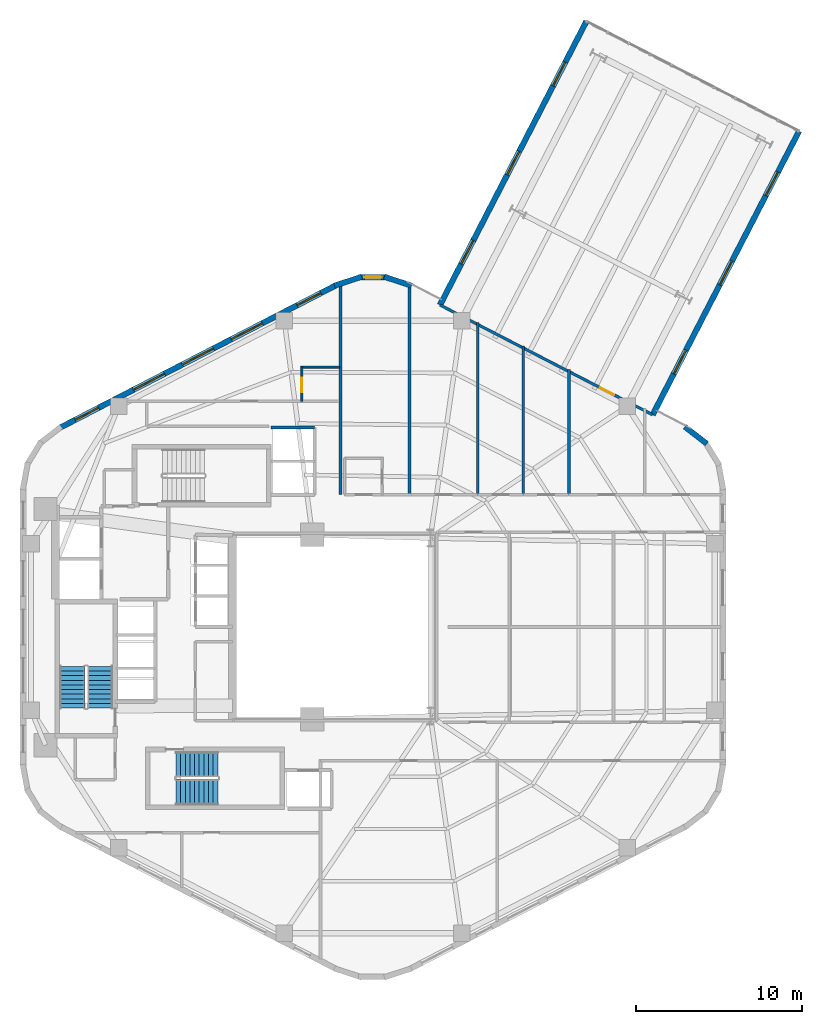
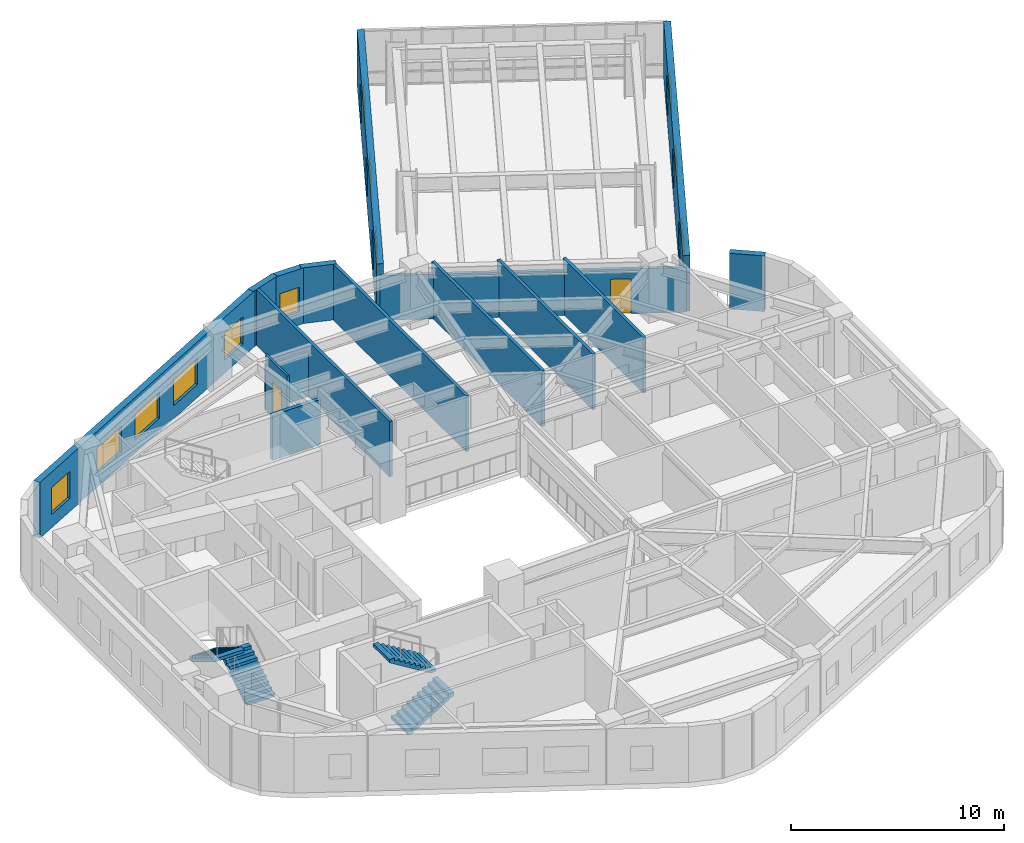
# One storey, part 8 of 11: 16 walls, 12 windows, 4 stair flights, 2 doors, 14 openings, 2 elements without a shape of their own.
"""IFC4 building model written with IfcOpenShell, lengths in metres."""

from ifc_helpers import new_model, si_unit, direction, frame, frame_2d, origin, place, context, subcontext, project, spatial, polyline, rectangle, outline, extrude, material, layer, layer_set, type_object, element, fill, aggregate, save


model = new_model("IFC4")

# Units and contexts
model_context = context("Model", 3, precision=1e-05, world=origin(), true_north=direction((0.0, 1.0)))
body_context = subcontext(model_context, "Body", "Model", "MODEL_VIEW")
ifc_project = project(units=[si_unit("LENGTHUNIT", "METRE"), si_unit("AREAUNIT", "SQUARE_METRE"), si_unit("VOLUMEUNIT", "CUBIC_METRE"), si_unit("PLANEANGLEUNIT", "RADIAN"), si_unit("MASSUNIT", "GRAM", prefix="KILO"), si_unit("THERMODYNAMICTEMPERATUREUNIT", "KELVIN"), si_unit("POWERUNIT", "WATT")], contexts=[model_context])

# Site, building, storey
site_placement = place(None, origin())
site = spatial("IfcSite", under=ifc_project, at=site_placement, CompositionType="ELEMENT")
building_placement = place(site_placement, origin())
building = spatial("IfcBuilding", under=site, at=building_placement, Name="Skarre Station Tower", CompositionType="ELEMENT")
storey_placement = place(building_placement, frame((0.0, 0.0, 118.800048828125)))
storey = spatial("IfcBuildingStorey", under=building, at=storey_placement, Name="L31", CompositionType="ELEMENT", Elevation=118.800048828125)

# Wall
ifc_material_1 = material(Name="Insulated Timber-Stud Gypsum Partition", Category="wood")
ifc_layer_1 = layer(ifc_material_1, 0.1201171875, Name="Insulated Timber-Stud Gypsum Partition")
ifc_layer_set_1 = layer_set([ifc_layer_1], Name="Insulated Timber-Stud Gypsum Partition")
wall_type_1 = type_object("IfcWallType", Name="Internal Suite Acoustic Partition 120", PredefinedType="PARTITIONING", material=ifc_layer_set_1)
wall_1_placement = place(storey_placement, frame((34.0, 39.639892578125, 0.0), z_axis=(0.0, 0.0, 1.0), x_axis=(-1.0, 0.0, 0.0)))
element("IfcWall", 1, at=wall_1_placement, inside=storey, type_object=wall_type_1, Name="L31 Interior Partition WL-PT-L31-NWW1-EW3", PredefinedType="PARTITIONING", context=body_context, shape_type="SweptSolid", body=[
    extrude(rectangle(XDim=2.340087890625, YDim=0.1201171875, at=frame_2d((1.169921875, 0.0))), origin(), (0.0, 0.0, 1.0), 2.58203125),
])

# Wall, opening, door
wall_2_placement = place(storey_placement, frame((31.719970703125, 39.639892578125, 0.0), z_axis=(0.0, 0.0, 1.0), x_axis=(0.0, -1.0, 0.0)))
wall_2 = element("IfcWall", 2, at=wall_2_placement, inside=storey, type_object=wall_type_1, Name="L31 Interior Partition WL-PT-L31-NWW1-EW4", PredefinedType="PARTITIONING", context=body_context, shape_type="SweptSolid", body=[
    extrude(rectangle(XDim=2.059814453125, YDim=0.1201171875, at=frame_2d((1.02978515625, 0.0))), origin(), (0.0, 0.0, 1.0), 3.18994140625),
])
opening_1_placement = place(wall_2_placement, frame((0.64990234375, 0.0, 0.0)))
opening_1 = element("IfcOpeningElement", 3, at=opening_1_placement, cuts=wall_2, Name="Opening DR-INT86", PredefinedType="OPENING", context=body_context, shape_type="SweptSolid", body=[
    extrude(rectangle(XDim=0.860107421875, YDim=2.0, at=frame_2d((0.43017578125, 1.0))), frame((0.0, 0.070068359375, 0.0), z_axis=(0.0, -1.0, 0.0), x_axis=(1.0, 0.0, 0.0)), (0.0, 0.0, 1.0), 0.14013671875),
])
ifc_material_2 = material(Name="Nordic Birch Acoustic Solid-Core Timber Leaf", Category="wood")
door_type_1 = type_object("IfcDoorType", Name="Internal En-Suite & Bedroom Door 860x2100", OperationType="SINGLE_SWING_LEFT", PredefinedType="DOOR", material=ifc_material_2)
door_1_placement = place(opening_1_placement, origin())
door_1 = element("IfcDoor", 4, at=door_1_placement, inside=storey, type_object=door_type_1, Name="L31 NWW1 En-suite Door", OperationType="SINGLE_SWING_RIGHT", OverallHeight=2.0, OverallWidth=0.860107421875, PredefinedType="DOOR", context=body_context, shape_type="SweptSolid", body=[
    extrude(rectangle(XDim=0.860107421875, YDim=2.0, at=frame_2d((0.43017578125, 1.0))), frame((0.0, 0.02490234375, 0.0), z_axis=(0.0, -1.0, 0.0), x_axis=(1.0, 0.0, 0.0)), (0.0, 0.0, 1.0), 0.050048828125),
])
fill(opening_1, door_1)

# Wall, openings, windows
ifc_material_3 = material(Name="Precast concrete C45/55", Category="concrete")
ifc_layer_2 = layer(ifc_material_3, 0.340087890625, Name="Precast concrete C45/55")
ifc_layer_set_2 = layer_set([ifc_layer_2], Name="Precast concrete C45/55")
wall_type_2 = type_object("IfcWallType", Name="Nordic Honed Precast Facet Wall 340", PredefinedType="STANDARD", material=ifc_layer_set_2)
wall_3_placement = place(storey_placement, frame((61.6298828125, 53.827880859375, 0.0), z_axis=(0.0, 0.0, 1.0), x_axis=(-0.458697010696, -0.888592737073, 0.0)))
wall_3 = element("IfcWall", 5, at=wall_3_placement, inside=storey, type_object=wall_type_2, Name="L31 SB-2 Side 1 Precast Wall", PredefinedType="STANDARD", context=body_context, shape_type="SweptSolid", body=[
    extrude(rectangle(XDim=19.19970703125, YDim=0.340087890625, at=frame_2d((9.599853515625, 0.0))), origin(), (0.0, 0.0, 1.0), 3.18994140625),
])
opening_2_placement = place(wall_3_placement, frame((2.76708984375, 0.0, 0.75)))
opening_2 = element("IfcOpeningElement", 6, at=opening_2_placement, cuts=wall_3, Name="Opening WN-Z2A", PredefinedType="OPENING", context=body_context, shape_type="SweptSolid", body=[
    extrude(rectangle(XDim=1.60009765625, YDim=1.550048828125, at=frame_2d((0.800048828125, 0.77490234375))), frame((0.0, 0.179931640625, 0.0), z_axis=(0.0, -1.0, 0.0), x_axis=(1.0, 0.0, 0.0)), (0.0, 0.0, 1.0), 0.360107421875),
])
opening_3_placement = place(wall_3_placement, frame((8.800048828125, 0.0, 0.75)))
opening_3 = element("IfcOpeningElement", 7, at=opening_3_placement, cuts=wall_3, Name="Opening WN-Z2A", PredefinedType="OPENING", context=body_context, shape_type="SweptSolid", body=[
    extrude(rectangle(XDim=1.60009765625, YDim=1.550048828125, at=frame_2d((0.800048828125, 0.77490234375))), frame((0.0, 0.179931640625, 0.0), z_axis=(0.0, -1.0, 0.0), x_axis=(1.0, 0.0, 0.0)), (0.0, 0.0, 1.0), 0.360107421875),
])
opening_4_placement = place(wall_3_placement, frame((14.8330078125, 0.0, 0.75)))
opening_4 = element("IfcOpeningElement", 8, at=opening_4_placement, cuts=wall_3, Name="Opening WN-Z2A", PredefinedType="OPENING", context=body_context, shape_type="SweptSolid", body=[
    extrude(rectangle(XDim=1.60009765625, YDim=1.550048828125, at=frame_2d((0.800048828125, 0.77490234375))), frame((0.0, 0.179931640625, 0.0), z_axis=(0.0, -1.0, 0.0), x_axis=(1.0, 0.0, 0.0)), (0.0, 0.0, 1.0), 0.360107421875),
])
ifc_material_4 = material(Name="Low-Iron Triple Glazing with Bronze Anodized Frame", Category="glass")
window_type_1 = type_object("IfcWindowType", Name="Nordic Residential Tall Window 1600x1550", PartitioningType="SINGLE_PANEL", PredefinedType="WINDOW", material=ifc_material_4)
window_1_placement = place(opening_2_placement, origin())
window_1 = element("IfcWindow", 9, at=window_1_placement, inside=storey, type_object=window_type_1, Name="L31 Facade Window WL-SB-2-L31-S1-1", OverallHeight=1.550048828125, OverallWidth=1.60009765625, PartitioningType="SINGLE_PANEL", PredefinedType="WINDOW", context=body_context, shape_type="SweptSolid", body=[
    extrude(rectangle(XDim=1.60009765625, YDim=1.550048828125, at=frame_2d((0.800048828125, 0.77490234375))), frame((0.0, 0.030029296875, 0.0), z_axis=(0.0, -1.0, 0.0), x_axis=(1.0, 0.0, 0.0)), (0.0, 0.0, 1.0), 0.06005859375),
])
fill(opening_2, window_1)
window_2_placement = place(opening_3_placement, origin())
window_2 = element("IfcWindow", 10, at=window_2_placement, inside=storey, type_object=window_type_1, Name="L31 Facade Window WL-SB-2-L31-S1-2", OverallHeight=1.550048828125, OverallWidth=1.60009765625, PartitioningType="SINGLE_PANEL", PredefinedType="WINDOW", context=body_context, shape_type="SweptSolid", body=[
    extrude(rectangle(XDim=1.60009765625, YDim=1.550048828125, at=frame_2d((0.800048828125, 0.77490234375))), frame((0.0, 0.030029296875, 0.0), z_axis=(0.0, -1.0, 0.0), x_axis=(1.0, 0.0, 0.0)), (0.0, 0.0, 1.0), 0.06005859375),
])
fill(opening_3, window_2)
window_3_placement = place(opening_4_placement, origin())
window_3 = element("IfcWindow", 11, at=window_3_placement, inside=storey, type_object=window_type_1, Name="L31 Facade Window WL-SB-2-L31-S1-3", OverallHeight=1.550048828125, OverallWidth=1.60009765625, PartitioningType="SINGLE_PANEL", PredefinedType="WINDOW", context=body_context, shape_type="SweptSolid", body=[
    extrude(rectangle(XDim=1.60009765625, YDim=1.550048828125, at=frame_2d((0.800048828125, 0.77490234375))), frame((0.0, 0.030029296875, 0.0), z_axis=(0.0, -1.0, 0.0), x_axis=(1.0, 0.0, 0.0)), (0.0, 0.0, 1.0), 0.06005859375),
])
fill(opening_4, window_3)

wall_4_placement = place(storey_placement, frame((40.028076171875, 43.3720703125, 0.0), z_axis=(0.0, 0.0, 1.0), x_axis=(0.45865166523, 0.888616143215, 0.0)))
wall_4 = element("IfcWall", 12, at=wall_4_placement, inside=storey, type_object=wall_type_2, Name="L31 SB-2 Side 2 Precast Wall", PredefinedType="STANDARD", context=body_context, shape_type="SweptSolid", body=[
    extrude(rectangle(XDim=19.199462890625, YDim=0.340087890625, at=frame_2d((9.599609375, 0.0))), origin(), (0.0, 0.0, 1.0), 3.18994140625),
])
opening_5_placement = place(wall_4_placement, frame((2.76708984375, 0.0, 0.75)))
opening_5 = element("IfcOpeningElement", 13, at=opening_5_placement, cuts=wall_4, Name="Opening WN-Z2A", PredefinedType="OPENING", context=body_context, shape_type="SweptSolid", body=[
    extrude(rectangle(XDim=1.60009765625, YDim=1.550048828125, at=frame_2d((0.800048828125, 0.77490234375))), frame((0.0, 0.179931640625, 0.0), z_axis=(0.0, -1.0, 0.0), x_axis=(1.0, 0.0, 0.0)), (0.0, 0.0, 1.0), 0.360107421875),
])
opening_6_placement = place(wall_4_placement, frame((8.800048828125, 0.0, 0.75)))
opening_6 = element("IfcOpeningElement", 14, at=opening_6_placement, cuts=wall_4, Name="Opening WN-Z2A", PredefinedType="OPENING", context=body_context, shape_type="SweptSolid", body=[
    extrude(rectangle(XDim=1.60009765625, YDim=1.550048828125, at=frame_2d((0.800048828125, 0.77490234375))), frame((0.0, 0.179931640625, 0.0), z_axis=(0.0, -1.0, 0.0), x_axis=(1.0, 0.0, 0.0)), (0.0, 0.0, 1.0), 0.360107421875),
])
opening_7_placement = place(wall_4_placement, frame((14.8330078125, 0.0, 0.75)))
opening_7 = element("IfcOpeningElement", 15, at=opening_7_placement, cuts=wall_4, Name="Opening WN-Z2A", PredefinedType="OPENING", context=body_context, shape_type="SweptSolid", body=[
    extrude(rectangle(XDim=1.60009765625, YDim=1.550048828125, at=frame_2d((0.800048828125, 0.77490234375))), frame((0.0, 0.179931640625, 0.0), z_axis=(0.0, -1.0, 0.0), x_axis=(1.0, 0.0, 0.0)), (0.0, 0.0, 1.0), 0.360107421875),
])
window_4_placement = place(opening_5_placement, origin())
window_4 = element("IfcWindow", 16, at=window_4_placement, inside=storey, type_object=window_type_1, Name="L31 Facade Window WL-SB-2-L31-S2-1", OverallHeight=1.550048828125, OverallWidth=1.60009765625, PartitioningType="SINGLE_PANEL", PredefinedType="WINDOW", context=body_context, shape_type="SweptSolid", body=[
    extrude(rectangle(XDim=1.60009765625, YDim=1.550048828125, at=frame_2d((0.800048828125, 0.77490234375))), frame((0.0, 0.030029296875, 0.0), z_axis=(0.0, -1.0, 0.0), x_axis=(1.0, 0.0, 0.0)), (0.0, 0.0, 1.0), 0.06005859375),
])
fill(opening_5, window_4)
window_5_placement = place(opening_6_placement, origin())
window_5 = element("IfcWindow", 17, at=window_5_placement, inside=storey, type_object=window_type_1, Name="L31 Facade Window WL-SB-2-L31-S2-2", OverallHeight=1.550048828125, OverallWidth=1.60009765625, PartitioningType="SINGLE_PANEL", PredefinedType="WINDOW", context=body_context, shape_type="SweptSolid", body=[
    extrude(rectangle(XDim=1.60009765625, YDim=1.550048828125, at=frame_2d((0.800048828125, 0.77490234375))), frame((0.0, 0.030029296875, 0.0), z_axis=(0.0, -1.0, 0.0), x_axis=(1.0, 0.0, 0.0)), (0.0, 0.0, 1.0), 0.06005859375),
])
fill(opening_6, window_5)
window_6_placement = place(opening_7_placement, origin())
window_6 = element("IfcWindow", 18, at=window_6_placement, inside=storey, type_object=window_type_1, Name="L31 Facade Window WL-SB-2-L31-S2-3", OverallHeight=1.550048828125, OverallWidth=1.60009765625, PartitioningType="SINGLE_PANEL", PredefinedType="WINDOW", context=body_context, shape_type="SweptSolid", body=[
    extrude(rectangle(XDim=1.60009765625, YDim=1.550048828125, at=frame_2d((0.800048828125, 0.77490234375))), frame((0.0, 0.030029296875, 0.0), z_axis=(0.0, -1.0, 0.0), x_axis=(1.0, 0.0, 0.0)), (0.0, 0.0, 1.0), 0.06005859375),
])
fill(opening_7, window_6)

wall_5_placement = place(storey_placement, frame((17.1689453125, 35.989990234375, 0.0), z_axis=(0.0, 0.0, 1.0), x_axis=(0.888613612362, 0.458656568606, 0.0)))
wall_5 = element("IfcWall", 19, at=wall_5_placement, inside=storey, type_object=wall_type_2, Name="L31 Facet 1 Nordic Precast Masonry Wall", PredefinedType="STANDARD", context=body_context, shape_type="SweptSolid", body=[
    extrude(rectangle(XDim=18.680908203125, YDim=0.340087890625, at=frame_2d((9.34033203125, 0.0))), origin(), (0.0, 0.0, 1.0), 3.18994140625),
])
opening_8_placement = place(wall_5_placement, frame((1.02294921875, 0.0, 0.75)))
opening_8 = element("IfcOpeningElement", 20, at=opening_8_placement, cuts=wall_5, Name="Opening WN-Z2A", PredefinedType="OPENING", context=body_context, shape_type="SweptSolid", body=[
    extrude(rectangle(XDim=1.60009765625, YDim=1.550048828125, at=frame_2d((0.800048828125, 0.77490234375))), frame((0.0, 0.179931640625, 0.0), z_axis=(0.0, -1.0, 0.0), x_axis=(1.0, 0.0, 0.0)), (0.0, 0.0, 1.0), 0.360107421875),
])
opening_9_placement = place(wall_5_placement, frame((4.98095703125, 0.0, 0.75)))
opening_9 = element("IfcOpeningElement", 21, at=opening_9_placement, cuts=wall_5, Name="Opening WN-Z2B", PredefinedType="OPENING", context=body_context, shape_type="SweptSolid", body=[
    extrude(rectangle(XDim=2.10009765625, YDim=1.5, at=frame_2d((1.050048828125, 0.75))), frame((0.0, 0.179931640625, 0.0), z_axis=(0.0, -1.0, 0.0), x_axis=(1.0, 0.0, 0.0)), (0.0, 0.0, 1.0), 0.360107421875),
])
opening_10_placement = place(wall_5_placement, frame((8.2900390625, 0.0, 0.75)))
opening_10 = element("IfcOpeningElement", 22, at=opening_10_placement, cuts=wall_5, Name="Opening WN-Z2B", PredefinedType="OPENING", context=body_context, shape_type="SweptSolid", body=[
    extrude(rectangle(XDim=2.10009765625, YDim=1.5, at=frame_2d((1.050048828125, 0.75))), frame((0.0, 0.179931640625, 0.0), z_axis=(0.0, -1.0, 0.0), x_axis=(1.0, 0.0, 0.0)), (0.0, 0.0, 1.0), 0.360107421875),
])
opening_11_placement = place(wall_5_placement, frame((11.60009765625, 0.0, 0.75)))
opening_11 = element("IfcOpeningElement", 23, at=opening_11_placement, cuts=wall_5, Name="Opening WN-Z2B", PredefinedType="OPENING", context=body_context, shape_type="SweptSolid", body=[
    extrude(rectangle(XDim=2.10009765625, YDim=1.5, at=frame_2d((1.050048828125, 0.75))), frame((0.0, 0.179931640625, 0.0), z_axis=(0.0, -1.0, 0.0), x_axis=(1.0, 0.0, 0.0)), (0.0, 0.0, 1.0), 0.360107421875),
])
opening_12_placement = place(wall_5_placement, frame((16.05810546875, 0.0, 0.75)))
opening_12 = element("IfcOpeningElement", 24, at=opening_12_placement, cuts=wall_5, Name="Opening WN-Z2A", PredefinedType="OPENING", context=body_context, shape_type="SweptSolid", body=[
    extrude(rectangle(XDim=1.60009765625, YDim=1.550048828125, at=frame_2d((0.800048828125, 0.77490234375))), frame((0.0, 0.179931640625, 0.0), z_axis=(0.0, -1.0, 0.0), x_axis=(1.0, 0.0, 0.0)), (0.0, 0.0, 1.0), 0.360107421875),
])
window_7_placement = place(opening_8_placement, origin())
window_7 = element("IfcWindow", 25, at=window_7_placement, inside=storey, type_object=window_type_1, Name="L31 Facade Window WL-FAC-L31-F1-1", OverallHeight=1.550048828125, OverallWidth=1.60009765625, PartitioningType="SINGLE_PANEL", PredefinedType="WINDOW", context=body_context, shape_type="SweptSolid", body=[
    extrude(rectangle(XDim=1.60009765625, YDim=1.550048828125, at=frame_2d((0.800048828125, 0.77490234375))), frame((0.0, 0.030029296875, 0.0), z_axis=(0.0, -1.0, 0.0), x_axis=(1.0, 0.0, 0.0)), (0.0, 0.0, 1.0), 0.06005859375),
])
fill(opening_8, window_7)
window_8_placement = place(opening_12_placement, origin())
window_8 = element("IfcWindow", 26, at=window_8_placement, inside=storey, type_object=window_type_1, Name="L31 Facade Window WL-FAC-L31-F1-5", OverallHeight=1.550048828125, OverallWidth=1.60009765625, PartitioningType="SINGLE_PANEL", PredefinedType="WINDOW", context=body_context, shape_type="SweptSolid", body=[
    extrude(rectangle(XDim=1.60009765625, YDim=1.550048828125, at=frame_2d((0.800048828125, 0.77490234375))), frame((0.0, 0.030029296875, 0.0), z_axis=(0.0, -1.0, 0.0), x_axis=(1.0, 0.0, 0.0)), (0.0, 0.0, 1.0), 0.06005859375),
])
fill(opening_12, window_8)
window_type_2 = type_object("IfcWindowType", Name="Nordic Residential Twin Window 2100x1500", PartitioningType="SINGLE_PANEL", PredefinedType="WINDOW", material=ifc_material_4)
window_9_placement = place(opening_9_placement, origin())
window_9 = element("IfcWindow", 27, at=window_9_placement, inside=storey, type_object=window_type_2, Name="L31 Facade Window WL-FAC-L31-F1-2", OverallHeight=1.5, OverallWidth=2.10009765625, PartitioningType="SINGLE_PANEL", PredefinedType="WINDOW", context=body_context, shape_type="SweptSolid", body=[
    extrude(rectangle(XDim=2.10009765625, YDim=1.5, at=frame_2d((1.050048828125, 0.75))), frame((0.0, 0.030029296875, 0.0), z_axis=(0.0, -1.0, 0.0), x_axis=(1.0, 0.0, 0.0)), (0.0, 0.0, 1.0), 0.06005859375),
])
fill(opening_9, window_9)
window_10_placement = place(opening_10_placement, origin())
window_10 = element("IfcWindow", 28, at=window_10_placement, inside=storey, type_object=window_type_2, Name="L31 Facade Window WL-FAC-L31-F1-3", OverallHeight=1.5, OverallWidth=2.10009765625, PartitioningType="SINGLE_PANEL", PredefinedType="WINDOW", context=body_context, shape_type="SweptSolid", body=[
    extrude(rectangle(XDim=2.10009765625, YDim=1.5, at=frame_2d((1.050048828125, 0.75))), frame((0.0, 0.030029296875, 0.0), z_axis=(0.0, -1.0, 0.0), x_axis=(1.0, 0.0, 0.0)), (0.0, 0.0, 1.0), 0.06005859375),
])
fill(opening_10, window_10)
window_11_placement = place(opening_11_placement, origin())
window_11 = element("IfcWindow", 29, at=window_11_placement, inside=storey, type_object=window_type_2, Name="L31 Facade Window WL-FAC-L31-F1-4", OverallHeight=1.5, OverallWidth=2.10009765625, PartitioningType="SINGLE_PANEL", PredefinedType="WINDOW", context=body_context, shape_type="SweptSolid", body=[
    extrude(rectangle(XDim=2.10009765625, YDim=1.5, at=frame_2d((1.050048828125, 0.75))), frame((0.0, 0.030029296875, 0.0), z_axis=(0.0, -1.0, 0.0), x_axis=(1.0, 0.0, 0.0)), (0.0, 0.0, 1.0), 0.06005859375),
])
fill(opening_11, window_11)

# Walls
ifc_layer_3 = layer(ifc_material_3, 0.330078125, Name="Precast concrete C45/55")
ifc_layer_set_3 = layer_set([ifc_layer_3], Name="Precast concrete C45/55")
wall_type_3 = type_object("IfcWallType", Name="Nordic Rounded Corner Precast Wall 330", PredefinedType="STANDARD", material=ifc_layer_set_3)
wall_6_placement = place(storey_placement, frame((54.757080078125, 36.050048828125, 0.0), z_axis=(0.0, 0.0, 1.0), x_axis=(0.790621329885, -0.612305408053, 0.0)))
element("IfcWall", 30, at=wall_6_placement, inside=storey, type_object=wall_type_3, Name="L31 Rounded Corner Precast Wall F0-1", PredefinedType="STANDARD", context=body_context, shape_type="SweptSolid", body=[
    extrude(rectangle(XDim=1.67578125, YDim=0.330078125, at=frame_2d((0.837890625, 0.0))), origin(), (0.0, 0.0, 1.0), 3.18994140625),
])
wall_7_placement = place(storey_placement, frame((33.680908203125, 44.531982421875, 0.0), z_axis=(0.0, 0.0, 1.0), x_axis=(0.949937416267, 0.312440242569, 0.0)))
element("IfcWall", 31, at=wall_7_placement, inside=storey, type_object=wall_type_3, Name="L31 Rounded Corner Precast Wall F1-1", PredefinedType="STANDARD", context=body_context, shape_type="SweptSolid", body=[
    extrude(rectangle(XDim=1.72216796875, YDim=0.330078125, at=frame_2d((0.861083984375, 0.0))), origin(), (0.0, 0.0, 1.0), 3.18994140625),
])

# Wall, opening, window
wall_8_placement = place(storey_placement, frame((35.138916015625, 45.041015625, 0.0), z_axis=(0.0, 0.0, 1.0), x_axis=(1.0, 0.0, 0.0)))
wall_8 = element("IfcWall", 32, at=wall_8_placement, inside=storey, type_object=wall_type_3, Name="L31 Rounded Corner Precast Wall F1-2", PredefinedType="STANDARD", context=body_context, shape_type="SweptSolid", body=[
    extrude(rectangle(XDim=1.72216796875, YDim=0.330078125, at=frame_2d((0.861083984375, 0.0))), origin(), (0.0, 0.0, 1.0), 3.18994140625),
])
opening_13_placement = place(wall_8_placement, frame((0.3359375, 0.0, 0.75)))
opening_13 = element("IfcOpeningElement", 33, at=opening_13_placement, cuts=wall_8, Name="Opening WN-SLT", PredefinedType="OPENING", context=body_context, shape_type="SweptSolid", body=[
    extrude(rectangle(XDim=1.050048828125, YDim=1.39990234375, at=frame_2d((0.52490234375, 0.699951171875))), frame((0.0, 0.175048828125, 0.0), z_axis=(0.0, -1.0, 0.0), x_axis=(1.0, 0.0, 0.0)), (0.0, 0.0, 1.0), 0.35009765625),
])
window_type_3 = type_object("IfcWindowType", Name="Nordic Corner Slot Window 1050x1400", PartitioningType="SINGLE_PANEL", PredefinedType="WINDOW", material=ifc_material_4)
window_12_placement = place(opening_13_placement, origin())
window_12 = element("IfcWindow", 34, at=window_12_placement, inside=storey, type_object=window_type_3, Name="L31 Apex Corner Slot Window F1-2", OverallHeight=1.39990234375, OverallWidth=1.050048828125, PartitioningType="SINGLE_PANEL", PredefinedType="WINDOW", context=body_context, shape_type="SweptSolid", body=[
    extrude(rectangle(XDim=1.050048828125, YDim=1.39990234375, at=frame_2d((0.52490234375, 0.699951171875))), frame((0.0, 0.030029296875, 0.0), z_axis=(0.0, -1.0, 0.0), x_axis=(1.0, 0.0, 0.0)), (0.0, 0.0, 1.0), 0.06005859375),
])
fill(opening_13, window_12)

# Walls
wall_9_placement = place(storey_placement, frame((36.68310546875, 45.070068359375, 0.0), z_axis=(0.0, 0.0, 1.0), x_axis=(0.949937416267, -0.312440242569, 0.0)))
element("IfcWall", 35, at=wall_9_placement, inside=storey, type_object=wall_type_3, Name="L31 Rounded Corner Precast Wall F1-3", PredefinedType="STANDARD", context=body_context, shape_type="SweptSolid", body=[
    extrude(rectangle(XDim=1.72216796875, YDim=0.330078125, at=frame_2d((0.861083984375, 0.0))), origin(), (0.0, 0.0, 1.0), 3.18994140625),
])
ifc_material_5 = material(Name="Gypsum Concrete Shaft Assembly C30/37", Category="concrete")
ifc_layer_4 = layer(ifc_material_5, 0.199951171875, Name="Gypsum Concrete Shaft Assembly C30/37")
ifc_layer_set_4 = layer_set([ifc_layer_4], Name="Gypsum Concrete Shaft Assembly C30/37")
wall_type_4 = type_object("IfcWallType", Name="Shaft & Core Fire Partition 200", PredefinedType="PARTITIONING", material=ifc_layer_set_4)
wall_10_placement = place(storey_placement, frame((29.8798828125, 36.0, 0.0), z_axis=(0.0, 0.0, 1.0), x_axis=(1.0, 0.0, 0.0)))
element("IfcWall", 36, at=wall_10_placement, inside=storey, type_object=wall_type_4, Name="L31 Interior Partition WL-PT-L31-EX-N", PredefinedType="PARTITIONING", context=body_context, shape_type="SweptSolid", body=[
    extrude(rectangle(XDim=2.60009765625, YDim=0.199951171875, at=frame_2d((1.300048828125, 0.0))), origin(), (0.0, 0.0, 1.0), 2.58203125),
])
ifc_material_6 = material(Name="Acoustic Steel-Stud Gypsum Partition", Category="steel")
ifc_layer_5 = layer(ifc_material_6, 0.1650390625, Name="Acoustic Steel-Stud Gypsum Partition")
ifc_layer_set_5 = layer_set([ifc_layer_5], Name="Acoustic Steel-Stud Gypsum Partition")
wall_type_5 = type_object("IfcWallType", Name="Suite Demising Acoustic Partition 165", PredefinedType="PARTITIONING", material=ifc_layer_set_5)
wall_11_placement = place(storey_placement, frame((34.0400390625, 31.9599609375, 0.0), z_axis=(0.0, 0.0, 1.0), x_axis=(0.0, 1.0, 0.0)))
element("IfcWall", 37, at=wall_11_placement, inside=storey, type_object=wall_type_5, Name="L31 Interior Partition WL-PT-L31-NW-WBND", PredefinedType="PARTITIONING", context=body_context, shape_type="SweptSolid", body=[
    extrude(rectangle(XDim=12.55810546875, YDim=0.1650390625, at=frame_2d((6.279052734375, 0.0))), origin(), (0.0, 0.0, 1.0), 3.18994140625),
])
wall_12_placement = place(storey_placement, frame((38.19091796875, 31.969970703125, 0.0), z_axis=(0.0, 0.0, 1.0), x_axis=(0.0, 1.0, 0.0)))
element("IfcWall", 38, at=wall_12_placement, inside=storey, type_object=wall_type_5, Name="L31 Interior Partition WL-PT-L31-NW-P1", PredefinedType="PARTITIONING", context=body_context, shape_type="SweptSolid", body=[
    extrude(rectangle(XDim=12.47314453125, YDim=0.1650390625, at=frame_2d((6.236572265625, 0.0))), origin(), (0.0, 0.0, 1.0), 3.18994140625),
])
wall_13_placement = place(storey_placement, frame((42.302001953125, 31.969970703125, 0.0), z_axis=(0.0, 0.0, 1.0), x_axis=(0.0, 1.0, 0.0)))
element("IfcWall", 39, at=wall_13_placement, inside=storey, type_object=wall_type_5, Name="L31 Interior Partition WL-PT-L31-NW-P2", PredefinedType="PARTITIONING", context=body_context, shape_type="SweptSolid", body=[
    extrude(rectangle(XDim=10.35205078125, YDim=0.1650390625, at=frame_2d((5.176025390625, 0.0))), origin(), (0.0, 0.0, 1.0), 3.18994140625),
])
wall_14_placement = place(storey_placement, frame((45.0419921875, 31.969970703125, 0.0), z_axis=(0.0, 0.0, 1.0), x_axis=(0.0, 1.0, 0.0)))
element("IfcWall", 40, at=wall_14_placement, inside=storey, type_object=wall_type_5, Name="L31 Interior Partition WL-PT-L31-NW-P3", PredefinedType="PARTITIONING", context=body_context, shape_type="SweptSolid", body=[
    extrude(rectangle(XDim=8.93701171875, YDim=0.1650390625, at=frame_2d((4.468505859375, 0.0))), origin(), (0.0, 0.0, 1.0), 3.18994140625),
])
wall_15_placement = place(storey_placement, frame((47.782958984375, 31.969970703125, 0.0), z_axis=(0.0, 0.0, 1.0), x_axis=(0.0, 1.0, 0.0)))
element("IfcWall", 41, at=wall_15_placement, inside=storey, type_object=wall_type_5, Name="L31 Interior Partition WL-PT-L31-NW-P4", PredefinedType="PARTITIONING", context=body_context, shape_type="SweptSolid", body=[
    extrude(rectangle(XDim=7.52294921875, YDim=0.1650390625, at=frame_2d((3.761474609375, 0.0))), origin(), (0.0, 0.0, 1.0), 3.18994140625),
])

# Wall, opening, door
wall_16_placement = place(storey_placement, frame((52.822998046875, 36.76708984375, 0.0), z_axis=(0.0, 0.0, 1.0), x_axis=(-0.888588109751, 0.458705974683, 0.0)))
wall_16 = element("IfcWall", 42, at=wall_16_placement, inside=storey, type_object=wall_type_5, Name="L31 Interior Partition WL-PT-L31-SB-2-ROOT", PredefinedType="PARTITIONING", context=body_context, shape_type="SweptSolid", body=[
    extrude(rectangle(XDim=14.399169921875, YDim=0.1650390625, at=frame_2d((7.19970703125, 0.0))), origin(), (0.0, 0.0, 1.0), 2.56201171875),
])
opening_14_placement = place(wall_16_placement, frame((2.60009765625, 0.0, 0.0)))
opening_14 = element("IfcOpeningElement", 43, at=opening_14_placement, cuts=wall_16, Name="Opening DR-FD60", PredefinedType="OPENING", context=body_context, shape_type="SweptSolid", body=[
    extrude(rectangle(XDim=0.9599609375, YDim=2.0, at=frame_2d((0.47998046875, 1.0))), frame((0.0, 0.092529296875, 0.0), z_axis=(0.0, -1.0, 0.0), x_axis=(1.0, 0.0, 0.0)), (0.0, 0.0, 1.0), 0.18505859375),
])
ifc_material_7 = material(Name="Nordic White-Oak Veneer Solid-Core Fire Leaf", Category="wood")
door_type_2 = type_object("IfcDoorType", Name="Corridor Suite Entry Fire Door FD60 960x2150", OperationType="SINGLE_SWING_LEFT", PredefinedType="DOOR", material=ifc_material_7)
door_2_placement = place(opening_14_placement, origin())
door_2 = element("IfcDoor", 44, at=door_2_placement, inside=storey, type_object=door_type_2, Name="L31 SB-2 Horizon Salon Door", OperationType="SINGLE_SWING_LEFT", OverallHeight=2.0, OverallWidth=0.9599609375, PredefinedType="DOOR", context=body_context, shape_type="SweptSolid", body=[
    extrude(rectangle(XDim=0.9599609375, YDim=2.0, at=frame_2d((0.47998046875, 1.0))), frame((0.0, 0.02490234375, 0.0), z_axis=(0.0, -1.0, 0.0), x_axis=(1.0, 0.0, 0.0)), (0.0, 0.0, 1.0), 0.050048828125),
])
fill(opening_14, door_2)

# Stair, stair flights
ifc_material_8 = material(Name="Concrete C40/50", Category="concrete")
stair_type_1 = type_object("IfcStairType", Name="Reinforced Concrete Exit Stair ST-1", PredefinedType="HALF_TURN_STAIR", material=ifc_material_8)
stair_1_placement = place(storey_placement, origin())
stair_1 = element("IfcStair", 45, at=stair_1_placement, inside=storey, type_object=stair_type_1, Name="L31 Core Exit Stair ST-1", PredefinedType="HALF_TURN_STAIR")
stair_flight_type_1 = type_object("IfcStairFlightType", Name="Reinforced Concrete Stair Flight ST-1", PredefinedType="STRAIGHT", material=ifc_material_8)
stair_flight_1_placement = place(storey_placement, frame((19.590087890625, 19.1201171875, 0.0), z_axis=(0.0, 0.0, 1.0), x_axis=(0.0, 1.0, 0.0)))
stair_flight_1 = element("IfcStairFlight", 46, at=stair_flight_1_placement, type_object=stair_flight_type_1, Name="ST-1 flight 1", NumberOfRisers=10, NumberOfTreads=9, PredefinedType="STRAIGHT", RiserHeight=0.1725, TreadLength=0.28, context=body_context, shape_type="SweptSolid", body=[
    extrude(outline(polyline([(0.0, 0.0), (0.0, 0.172607421875), (0.280029296875, 0.172607421875), (0.280029296875, 0.344970703125), (0.56005859375, 0.344970703125), (0.56005859375, 0.517578125), (0.840087890625, 0.517578125), (0.840087890625, 0.68994140625), (1.1201171875, 0.68994140625), (1.1201171875, 0.862548828125), (1.39990234375, 0.862548828125), (1.39990234375, 1.034912109375), (1.679931640625, 1.034912109375), (1.679931640625, 1.20751953125), (1.9599609375, 1.20751953125), (1.9599609375, 1.3798828125), (2.239990234375, 1.3798828125), (2.239990234375, 1.552490234375), (2.52001953125, 1.552490234375), (2.52001953125, 1.72509765625), (2.52001953125, 1.37646484375), (0.285888671875, 0.0), (0.0, 0.0)])), frame((0.0, 0.760009765625, 0.0), z_axis=(0.0, -1.0, 0.0), x_axis=(1.0, 0.0, 0.0)), (0.0, 0.0, 1.0), 1.52001953125),
])
stair_flight_2_placement = place(storey_placement, frame((17.909912109375, 21.639892578125, 1.724853515625), z_axis=(0.0, 0.0, 1.0), x_axis=(0.0, -1.0, 0.0)))
stair_flight_2 = element("IfcStairFlight", 47, at=stair_flight_2_placement, type_object=stair_flight_type_1, Name="ST-1 flight 2", NumberOfRisers=10, NumberOfTreads=9, PredefinedType="STRAIGHT", RiserHeight=0.1725, TreadLength=0.28, context=body_context, shape_type="SweptSolid", body=[
    extrude(outline(polyline([(0.0, 0.0), (0.0, 0.172607421875), (0.280029296875, 0.172607421875), (0.280029296875, 0.344970703125), (0.56005859375, 0.344970703125), (0.56005859375, 0.517578125), (0.840087890625, 0.517578125), (0.840087890625, 0.68994140625), (1.1201171875, 0.68994140625), (1.1201171875, 0.862548828125), (1.39990234375, 0.862548828125), (1.39990234375, 1.034912109375), (1.679931640625, 1.034912109375), (1.679931640625, 1.20751953125), (1.9599609375, 1.20751953125), (1.9599609375, 1.3798828125), (2.239990234375, 1.3798828125), (2.239990234375, 1.552490234375), (2.52001953125, 1.552490234375), (2.52001953125, 1.72509765625), (2.52001953125, 1.37646484375), (0.285888671875, 0.0), (0.0, 0.0)])), frame((0.0, 0.760009765625, 0.0), z_axis=(0.0, -1.0, 0.0), x_axis=(1.0, 0.0, 0.0)), (0.0, 0.0, 1.0), 1.52001953125),
])
aggregate(stair_1, [stair_flight_1, stair_flight_2])

stair_type_2 = type_object("IfcStairType", Name="Reinforced Concrete Exit Stair ST-2", PredefinedType="HALF_TURN_STAIR", material=ifc_material_8)
stair_2_placement = place(storey_placement, origin())
stair_2 = element("IfcStair", 48, at=stair_2_placement, inside=storey, type_object=stair_type_2, Name="L31 Core Exit Stair ST-2", PredefinedType="HALF_TURN_STAIR")
stair_flight_type_2 = type_object("IfcStairFlightType", Name="Reinforced Concrete Stair Flight ST-2", PredefinedType="STRAIGHT", material=ifc_material_8)
stair_flight_3_placement = place(storey_placement, frame((24.14990234375, 14.06005859375, 0.0), z_axis=(0.0, 0.0, 1.0), x_axis=(1.0, 0.0, 0.0)))
stair_flight_3 = element("IfcStairFlight", 49, at=stair_flight_3_placement, type_object=stair_flight_type_2, Name="ST-2 flight 1", NumberOfRisers=10, NumberOfTreads=9, PredefinedType="STRAIGHT", RiserHeight=0.1725, TreadLength=0.28, context=body_context, shape_type="SweptSolid", body=[
    extrude(outline(polyline([(0.0, 0.0), (0.0, 0.172607421875), (0.280029296875, 0.172607421875), (0.280029296875, 0.344970703125), (0.56005859375, 0.344970703125), (0.56005859375, 0.517578125), (0.840087890625, 0.517578125), (0.840087890625, 0.68994140625), (1.1201171875, 0.68994140625), (1.1201171875, 0.862548828125), (1.39990234375, 0.862548828125), (1.39990234375, 1.034912109375), (1.679931640625, 1.034912109375), (1.679931640625, 1.20751953125), (1.9599609375, 1.20751953125), (1.9599609375, 1.3798828125), (2.239990234375, 1.3798828125), (2.239990234375, 1.552490234375), (2.52001953125, 1.552490234375), (2.52001953125, 1.72509765625), (2.52001953125, 1.37646484375), (0.285888671875, 0.0), (0.0, 0.0)])), frame((0.0, 0.760009765625, 0.0), z_axis=(0.0, -1.0, 0.0), x_axis=(1.0, 0.0, 0.0)), (0.0, 0.0, 1.0), 1.52001953125),
])
stair_flight_4_placement = place(storey_placement, frame((26.669921875, 15.739990234375, 1.724853515625), z_axis=(0.0, 0.0, 1.0), x_axis=(-1.0, 0.0, 0.0)))
stair_flight_4 = element("IfcStairFlight", 50, at=stair_flight_4_placement, type_object=stair_flight_type_2, Name="ST-2 flight 2", NumberOfRisers=10, NumberOfTreads=9, PredefinedType="STRAIGHT", RiserHeight=0.1725, TreadLength=0.28, context=body_context, shape_type="SweptSolid", body=[
    extrude(outline(polyline([(0.0, 0.0), (0.0, 0.172607421875), (0.280029296875, 0.172607421875), (0.280029296875, 0.344970703125), (0.56005859375, 0.344970703125), (0.56005859375, 0.517578125), (0.840087890625, 0.517578125), (0.840087890625, 0.68994140625), (1.1201171875, 0.68994140625), (1.1201171875, 0.862548828125), (1.39990234375, 0.862548828125), (1.39990234375, 1.034912109375), (1.679931640625, 1.034912109375), (1.679931640625, 1.20751953125), (1.9599609375, 1.20751953125), (1.9599609375, 1.3798828125), (2.239990234375, 1.3798828125), (2.239990234375, 1.552490234375), (2.52001953125, 1.552490234375), (2.52001953125, 1.72509765625), (2.52001953125, 1.37646484375), (0.285888671875, 0.0), (0.0, 0.0)])), frame((0.0, 0.760009765625, 0.0), z_axis=(0.0, -1.0, 0.0), x_axis=(1.0, 0.0, 0.0)), (0.0, 0.0, 1.0), 1.52001953125),
])
aggregate(stair_2, [stair_flight_3, stair_flight_4])

save(model, "model.ifc")
